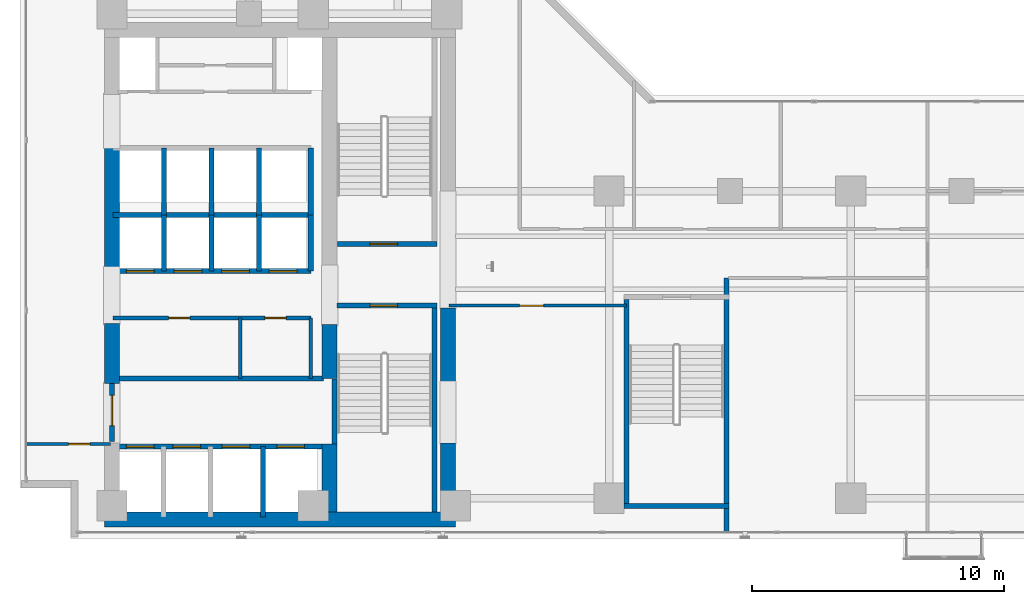
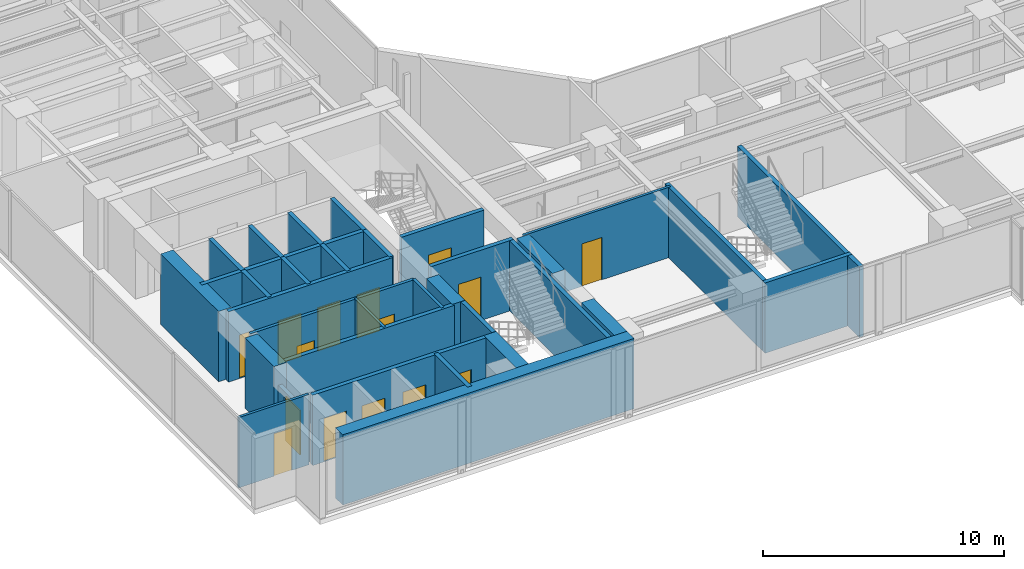
# One storey, part 19 of 26: 33 walls, 15 doors, 15 openings.
"""IFC4 building model written with IfcOpenShell, lengths in metres."""

import ifcopenshell
import ifcopenshell.guid

model = None  # the IFC model being written
_history = None  # IfcOwnerHistory: only IFC2X3 demands one
_inside = {}  # id of a spatial element -> (the spatial element, [elements in it])
_under = {}  # id of a project, library or spatial element -> (it, [spatial elements below it])
_declared = {}  # id of a project -> (the project, [libraries it declares])
_typed = {}  # id of a type object -> (the type object, [elements of that type])
_made_of = {}  # id of a material, layer set ... -> (it, [elements and type objects made of it])


def new_model(schema):
    """Start an empty IFC model of exactly this schema.

    Asked for "IFC4X3", IfcOpenShell would pick the latest addendum, in which some entities
    have other attributes; the version numbers below select the first issue.
    IFC2X3 requires an IfcOwnerHistory on every rooted entity: one is made here for all.
    """
    global model, _history
    if schema == "IFC4X3":
        model = ifcopenshell.file(schema_version=(4, 3, 0, 0))
    else:
        model = ifcopenshell.file(schema=schema)
    _inside.clear()
    _under.clear()
    _declared.clear()
    _typed.clear()
    _made_of.clear()
    _history = None
    if model.schema == "IFC2X3":
        org = make("IfcOrganization", Name="unknown")
        user = make(
            "IfcPersonAndOrganization",
            ThePerson=make("IfcPerson", FamilyName="unknown"),
            TheOrganization=org,
        )
        app = make(
            "IfcApplication",
            ApplicationDeveloper=org,
            Version="unknown",
            ApplicationFullName="unknown",
            ApplicationIdentifier="unknown",
        )
        _history = make(
            "IfcOwnerHistory",
            OwningUser=user,
            OwningApplication=app,
            ChangeAction="ADDED",
            CreationDate=0,
        )
    return model


def make(cls, **values):
    """One entity of the class cls with the attributes given. An attribute that is None is left unset."""
    return model.create_entity(
        cls, **{name: value for name, value in values.items() if value is not None}
    )


def rooted(cls, **values):
    """An entity with a GlobalId (a new one), such as an element, a storey or a relation."""
    return make(cls, GlobalId=ifcopenshell.guid.new(), OwnerHistory=_history, **values)


def si_unit(unit_type, name, prefix=None):
    """IfcSIUnit, for example si_unit("LENGTHUNIT", "METRE", prefix="MILLI")."""
    return make("IfcSIUnit", UnitType=unit_type, Prefix=prefix, Name=name)


def assignment(units):
    """IfcUnitAssignment: the units of a project."""
    return None if units is None else make("IfcUnitAssignment", Units=units)


def point(xyz):
    """IfcCartesianPoint."""
    return None if xyz is None else make("IfcCartesianPoint", Coordinates=xyz)


def direction(xyz):
    """IfcDirection."""
    return None if xyz is None else make("IfcDirection", DirectionRatios=xyz)


def frame(location, z_axis=None, x_axis=None):
    """IfcAxis2Placement3D, a coordinate frame: its origin and axes. An axis left out is left unset."""
    return make(
        "IfcAxis2Placement3D",
        Location=point(location),
        Axis=direction(z_axis),
        RefDirection=direction(x_axis),
    )


def frame_2d(location, x_axis=None):
    """IfcAxis2Placement2D, a coordinate frame in the plane: its origin and x axis."""
    return make(
        "IfcAxis2Placement2D", Location=point(location), RefDirection=direction(x_axis)
    )


def origin():
    """The frame at (0, 0, 0) with its axes left unset."""
    return frame((0.0, 0.0, 0.0))


def place(relative_to, where):
    """IfcLocalPlacement: puts the frame where relative to a parent placement (None: the world)."""
    return make(
        "IfcLocalPlacement", PlacementRelTo=relative_to, RelativePlacement=where
    )


def context(
    kind, dimensions, precision=None, world=None, true_north=None, identifier=None
):
    """IfcGeometricRepresentationContext, for example the 3D "Model" context."""
    return make(
        "IfcGeometricRepresentationContext",
        ContextIdentifier=identifier,
        ContextType=kind,
        CoordinateSpaceDimension=dimensions,
        Precision=precision,
        WorldCoordinateSystem=world,
        TrueNorth=true_north,
    )


def subcontext(parent, identifier, kind, view, scale=None):
    """IfcGeometricRepresentationSubContext, for example "Body" below "Model"."""
    return make(
        "IfcGeometricRepresentationSubContext",
        ContextIdentifier=identifier,
        ContextType=kind,
        ParentContext=parent,
        TargetScale=scale,
        TargetView=view,
    )


def project(units=None, contexts=None):
    """IfcProject with its units and contexts."""
    return rooted(
        "IfcProject",
        Name="project",
        RepresentationContexts=contexts,
        UnitsInContext=assignment(units),
    )


def spatial(cls, under=None, at=None, **own):
    """A site, building, storey or space (cls), placed at a placement, below another one or the project."""
    s = rooted(cls, ObjectPlacement=at, **own)
    if under is not None:
        _under.setdefault(under.id(), (under, []))[1].append(s)
    return s


def profile(cls, at=None, kind="AREA", **sizes):
    """A parametric profile (cls). Its sizes go by their IFC names, for example OverallWidth=200.0."""
    return make(cls, ProfileType=kind, Position=at, **sizes)


def rectangle(**sizes):
    """IfcRectangleProfileDef."""
    return profile("IfcRectangleProfileDef", **sizes)


def extrude(swept, where, along, depth):
    """IfcExtrudedAreaSolid: the profile swept, set in the frame where, extruded along a direction by depth."""
    return make(
        "IfcExtrudedAreaSolid",
        SweptArea=swept,
        Position=where,
        ExtrudedDirection=direction(along),
        Depth=depth,
    )


def shape(context_of_items, identifier, shape_type, items):
    """IfcShapeRepresentation: the items that make up one representation, for example the "Body"."""
    return make(
        "IfcShapeRepresentation",
        ContextOfItems=context_of_items,
        RepresentationIdentifier=identifier,
        RepresentationType=shape_type,
        Items=items,
    )


def material(Name=None, Category=None):
    """IfcMaterial."""
    return make("IfcMaterial", Name=Name, Category=Category)


def layer(
    of_material, thickness, ventilated=None, Name=None, Category=None, Priority=None
):
    """IfcMaterialLayer: one layer of a wall or slab, of a material (None: an air gap)."""
    return make(
        "IfcMaterialLayer",
        Material=of_material,
        LayerThickness=thickness,
        IsVentilated=ventilated,
        Name=Name,
        Category=Category,
        Priority=Priority,
    )


def layer_set(layers, Name=None):
    """IfcMaterialLayerSet."""
    return make("IfcMaterialLayerSet", MaterialLayers=layers, LayerSetName=Name)


def made_of(thing, what):
    """Note that an element or type object is made of a material, layer set ...; save() writes the relation."""
    if what is not None:
        _made_of.setdefault(what.id(), (what, []))[1].append(thing)
    return thing


def type_object(cls, material=None, **own):
    """A type object (cls), such as IfcWallType, which elements share."""
    return made_of(rooted(cls, **own), material)


def element(
    cls,
    number,
    at=None,
    inside=None,
    cuts=None,
    type_object=None,
    material=None,
    context=None,
    identifier="Body",
    shape_type=None,
    held_by="IfcProductDefinitionShape",
    body=None,
    shapes=None,
    **own,
):
    """One element of the class cls, such as IfcWall. Its Tag is "e" and its number.

    at: its placement. inside: the storey or other place that contains it. cuts: it is an
    opening in that element (IfcRelVoidsElement). A single representation is given by context,
    identifier, shape_type and body (its items); several are given by shapes. held_by: the class
    of the entity that holds the representations. save() writes the other relations.
    """
    e = rooted(cls, Tag="e%d" % number, ObjectPlacement=at, **own)
    if body is not None:
        shapes = [shape(context, identifier, shape_type, body)]
    if shapes is not None:
        e.Representation = make(held_by, Representations=shapes)
    if inside is not None:
        _inside.setdefault(inside.id(), (inside, []))[1].append(e)
    if cuts is not None:
        rooted(
            "IfcRelVoidsElement", RelatingBuildingElement=cuts, RelatedOpeningElement=e
        )
    if type_object is not None:
        _typed.setdefault(type_object.id(), (type_object, []))[1].append(e)
    return made_of(e, material)


def fill(opening, filler):
    """IfcRelFillsElement: the door or window that sits in an opening."""
    return rooted(
        "IfcRelFillsElement",
        RelatingOpeningElement=opening,
        RelatedBuildingElement=filler,
    )


def aggregate(whole, parts):
    """IfcRelAggregates: a whole, such as a stair, and the parts it consists of."""
    return rooted("IfcRelAggregates", RelatingObject=whole, RelatedObjects=parts)


def save(model, path):
    """Write the relations noted so far, then the file.

    IfcRelAggregates (storeys below a building ...), IfcRelContainedInSpatialStructure (elements
    in a storey), IfcRelDefinesByType, IfcRelAssociatesMaterial and IfcRelDeclares: one each for
    every whole, place, type object, material and project.
    """
    for whole, parts in _under.values():
        aggregate(whole, parts)
    for where, things in _inside.values():
        rooted(
            "IfcRelContainedInSpatialStructure",
            RelatedElements=things,
            RelatingStructure=where,
        )
    for kind, things in _typed.values():
        rooted("IfcRelDefinesByType", RelatedObjects=things, RelatingType=kind)
    for what, things in _made_of.values():
        rooted("IfcRelAssociatesMaterial", RelatedObjects=things, RelatingMaterial=what)
    for by, libraries in _declared.values():
        rooted("IfcRelDeclares", RelatingContext=by, RelatedDefinitions=libraries)
    model.write(path)


model = new_model("IFC4")

# Units and contexts
model_context = context("Model", 3, precision=1e-05, world=origin(), true_north=direction((0.0, 1.0)))
body_context = subcontext(model_context, "Body", "Model", "MODEL_VIEW")
ifc_project = project(units=[si_unit("LENGTHUNIT", "METRE"), si_unit("AREAUNIT", "SQUARE_METRE"), si_unit("VOLUMEUNIT", "CUBIC_METRE"), si_unit("PLANEANGLEUNIT", "RADIAN"), si_unit("MASSUNIT", "GRAM", prefix="KILO")], contexts=[model_context])

# Site, building, storey
site_placement = place(None, origin())
site = spatial("IfcSite", under=ifc_project, at=site_placement, CompositionType="ELEMENT")
building_placement = place(site_placement, origin())
building = spatial("IfcBuilding", under=site, at=building_placement, Name="Kolvaren Waterfront Exchange", CompositionType="ELEMENT")
storey_placement = place(building_placement, frame((0.0, 0.0, 150.0)))
storey = spatial("IfcBuildingStorey", under=building, at=storey_placement, Name="L38", CompositionType="ELEMENT", Elevation=150.0)

# Wall, opening, door
ifc_material_1 = material(Name="Precast concrete C40/50", Category="concrete")
ifc_layer_1 = layer(ifc_material_1, 0.199951171875, Name="Precast concrete C40/50")
ifc_layer_set_1 = layer_set([ifc_layer_1], Name="Precast concrete C40/50")
wall_type_1 = type_object("IfcWallType", Name="ARC-FIRE-200", PredefinedType="PARTITIONING", material=ifc_layer_set_1)
wall_1_placement = place(storey_placement, frame((16.39990234375, 12.85009765625, 0.0), z_axis=(0.0, 0.0, 1.0), x_axis=(1.0, 0.0, 0.0)))
wall_1 = element("IfcWall", 1, at=wall_1_placement, inside=storey, type_object=wall_type_1, Name="L38 interior wall PW-L38-ST1-THROAT-S", PredefinedType="PARTITIONING", context=body_context, shape_type="SweptSolid", body=[
    extrude(rectangle(XDim=3.960205078125, YDim=0.199951171875, at=frame_2d((1.97998046875, 0.0))), origin(), (0.0, 0.0, 1.0), 3.56005859375),
])
opening_1_placement = place(wall_1_placement, frame((1.3037109375, 0.0, 0.0)))
opening_1 = element("IfcOpeningElement", 2, at=opening_1_placement, cuts=wall_1, Name="Opening FD2", PredefinedType="OPENING", context=body_context, shape_type="SweptSolid", body=[
    extrude(rectangle(XDim=1.10009765625, YDim=2.199951171875, at=frame_2d((0.550048828125, 1.10009765625))), frame((0.0, 0.10986328125, 0.0), z_axis=(0.0, -1.0, 0.0), x_axis=(1.0, 0.0, 0.0)), (0.0, 0.0, 1.0), 0.219970703125),
])
ifc_material_2 = material(Name="Pressed steel smoke-seal fire door", Category="steel")
door_type_1 = type_object("IfcDoorType", Name="ARC-FD-1100", OperationType="NOTDEFINED", PredefinedType="DOOR", material=ifc_material_2)
door_1_placement = place(opening_1_placement, frame((1.10009765625, 0.0, 0.0), z_axis=(0.0, 0.0, 1.0), x_axis=(-1.0, 0.0, 0.0)))
door_1 = element("IfcDoor", 3, at=door_1_placement, inside=storey, type_object=door_type_1, Name="L38 door DR-L38-ST1-IN (FD2)", OperationType="SINGLE_SWING_RIGHT", OverallHeight=2.199951171875, OverallWidth=1.10009765625, PredefinedType="DOOR", context=body_context, shape_type="SweptSolid", body=[
    extrude(rectangle(XDim=1.10009765625, YDim=2.199951171875, at=frame_2d((0.550048828125, 1.10009765625))), frame((0.0, 0.02490234375, 0.0), z_axis=(0.0, -1.0, 0.0), x_axis=(1.0, 0.0, 0.0)), (0.0, 0.0, 1.0), 0.050048828125),
])
fill(opening_1, door_1)

wall_2_placement = place(storey_placement, frame((16.409912109375, 15.300048828125, 0.0), z_axis=(0.0, 0.0, 1.0), x_axis=(1.0, 0.0, 0.0)))
wall_2 = element("IfcWall", 4, at=wall_2_placement, inside=storey, type_object=wall_type_1, Name="L38 interior wall PW-L38-ST2-THROAT-N", PredefinedType="PARTITIONING", context=body_context, shape_type="SweptSolid", body=[
    extrude(rectangle(XDim=3.9501953125, YDim=0.199951171875, at=frame_2d((1.97509765625, 0.0))), origin(), (0.0, 0.0, 1.0), 3.56005859375),
])
opening_2_placement = place(wall_2_placement, frame((1.293701171875, 0.0, 0.0)))
opening_2 = element("IfcOpeningElement", 5, at=opening_2_placement, cuts=wall_2, Name="Opening FD2", PredefinedType="OPENING", context=body_context, shape_type="SweptSolid", body=[
    extrude(rectangle(XDim=1.10009765625, YDim=2.199951171875, at=frame_2d((0.550048828125, 1.10009765625))), frame((0.0, 0.10986328125, 0.0), z_axis=(0.0, -1.0, 0.0), x_axis=(1.0, 0.0, 0.0)), (0.0, 0.0, 1.0), 0.219970703125),
])
door_2_placement = place(opening_2_placement, origin())
door_2 = element("IfcDoor", 6, at=door_2_placement, inside=storey, type_object=door_type_1, Name="L38 door DR-L38-ST2-IN (FD2)", OperationType="SINGLE_SWING_LEFT", OverallHeight=2.199951171875, OverallWidth=1.10009765625, PredefinedType="DOOR", context=body_context, shape_type="SweptSolid", body=[
    extrude(rectangle(XDim=1.10009765625, YDim=2.199951171875, at=frame_2d((0.550048828125, 1.10009765625))), frame((0.0, 0.02490234375, 0.0), z_axis=(0.0, -1.0, 0.0), x_axis=(1.0, 0.0, 0.0)), (0.0, 0.0, 1.0), 0.050048828125),
])
fill(opening_2, door_2)

# Wall
wall_3_placement = place(storey_placement, frame((7.5, 9.949951171875, 0.0), z_axis=(0.0, 0.0, 1.0), x_axis=(1.0, 0.0, 0.0)))
element("IfcWall", 7, at=wall_3_placement, inside=storey, type_object=wall_type_1, Name="L38 interior wall PW-L38-FF-N", PredefinedType="PARTITIONING", context=body_context, shape_type="SweptSolid", body=[
    extrude(rectangle(XDim=8.35009765625, YDim=0.199951171875, at=frame_2d((4.175048828125, 0.0))), origin(), (0.0, 0.0, 1.0), 3.56005859375),
])

# Wall, opening, door
wall_4_placement = place(storey_placement, frame((7.449951171875, 7.449951171875, 0.0), z_axis=(0.0, 0.0, 1.0), x_axis=(0.0, 1.0, 0.0)))
wall_4 = element("IfcWall", 8, at=wall_4_placement, inside=storey, type_object=wall_type_1, Name="L38 interior wall PW-L38-FF-W-DOOR", PredefinedType="PARTITIONING", context=body_context, shape_type="SweptSolid", body=[
    extrude(rectangle(XDim=2.300048828125, YDim=0.199951171875, at=frame_2d((1.14990234375, 0.0))), origin(), (0.0, 0.0, 1.0), 2.5400390625),
])
opening_3_placement = place(wall_4_placement, frame((0.63330078125, 0.0, 0.0)))
opening_3 = element("IfcOpeningElement", 9, at=opening_3_placement, cuts=wall_4, Name="Opening FD3", PredefinedType="OPENING", context=body_context, shape_type="SweptSolid", body=[
    extrude(rectangle(XDim=1.199951171875, YDim=2.25, at=frame_2d((0.60009765625, 1.125))), frame((0.0, 0.10986328125, 0.0), z_axis=(0.0, -1.0, 0.0), x_axis=(1.0, 0.0, 0.0)), (0.0, 0.0, 1.0), 0.219970703125),
])
ifc_material_3 = material(Name="Pressed steel fire door", Category="steel")
door_type_2 = type_object("IfcDoorType", Name="ARC-FD-1200", OperationType="NOTDEFINED", PredefinedType="DOOR", material=ifc_material_3)
door_3_placement = place(opening_3_placement, frame((1.199951171875, 0.0, 0.0), z_axis=(0.0, 0.0, 1.0), x_axis=(-1.0, 0.0, 0.0)))
door_3 = element("IfcDoor", 10, at=door_3_placement, inside=storey, type_object=door_type_2, Name="L38 door DR-L38-FF-OUT (FD3)", OperationType="SINGLE_SWING_LEFT", OverallHeight=2.25, OverallWidth=1.199951171875, PredefinedType="DOOR", context=body_context, shape_type="SweptSolid", body=[
    extrude(rectangle(XDim=1.199951171875, YDim=2.25, at=frame_2d((0.60009765625, 1.125))), frame((0.0, 0.02490234375, 0.0), z_axis=(0.0, -1.0, 0.0), x_axis=(1.0, 0.0, 0.0)), (0.0, 0.0, 1.0), 0.050048828125),
])
fill(opening_3, door_3)

# Wall
ifc_material_4 = material(Name="Acoustic gypsum steel stud", Category="steel")
ifc_layer_2 = layer(ifc_material_4, 0.125, Name="Acoustic gypsum steel stud")
ifc_layer_set_2 = layer_set([ifc_layer_2], Name="Acoustic gypsum steel stud")
wall_type_2 = type_object("IfcWallType", Name="ARC-PART-125", PredefinedType="PARTITIONING", material=ifc_layer_set_2)
wall_5_placement = place(storey_placement, frame((12.550048828125, 9.949951171875, 0.0), z_axis=(0.0, 0.0, 1.0), x_axis=(0.0, 1.0, 0.0)))
element("IfcWall", 11, at=wall_5_placement, inside=storey, type_object=wall_type_2, Name="L38 interior wall PW-L38-REC-PL-MID", PredefinedType="PARTITIONING", context=body_context, shape_type="SweptSolid", body=[
    extrude(rectangle(XDim=2.41015625, YDim=0.125, at=frame_2d((1.205078125, 0.0))), origin(), (0.0, 0.0, 1.0), 3.56005859375),
])

# Wall, opening, door
wall_6_placement = place(storey_placement, frame((4.0400390625, 7.35009765625, 0.0), z_axis=(0.0, 0.0, 1.0), x_axis=(1.0, 0.0, 0.0)))
wall_6 = element("IfcWall", 12, at=wall_6_placement, inside=storey, type_object=wall_type_2, Name="L38 interior wall PW-L38-SWC-N", PredefinedType="PARTITIONING", context=body_context, shape_type="SweptSolid", body=[
    extrude(rectangle(XDim=3.35986328125, YDim=0.125, at=frame_2d((1.679931640625, 0.0))), origin(), (0.0, 0.0, 1.0), 3.56005859375),
])
opening_4_placement = place(wall_6_placement, frame((1.686767578125, 0.0, 0.0)))
opening_4 = element("IfcOpeningElement", 13, at=opening_4_placement, cuts=wall_6, Name="Opening D01", PredefinedType="OPENING", context=body_context, shape_type="SweptSolid", body=[
    extrude(rectangle(XDim=0.85009765625, YDim=2.14990234375, at=frame_2d((0.425048828125, 1.074951171875))), frame((0.0, 0.072509765625, 0.0), z_axis=(0.0, -1.0, 0.0), x_axis=(1.0, 0.0, 0.0)), (0.0, 0.0, 1.0), 0.14501953125),
])
ifc_material_5 = material(Name="Oak veneer timber leaf", Category="wood")
door_type_3 = type_object("IfcDoorType", Name="ARC-DR-900", OperationType="NOTDEFINED", PredefinedType="DOOR", material=ifc_material_5)
door_4_placement = place(opening_4_placement, origin())
door_4 = element("IfcDoor", 14, at=door_4_placement, inside=storey, type_object=door_type_3, Name="L38 door DR-L38-SWC-D (D01)", OperationType="SINGLE_SWING_RIGHT", OverallHeight=2.14990234375, OverallWidth=0.85009765625, PredefinedType="DOOR", context=body_context, shape_type="SweptSolid", body=[
    extrude(rectangle(XDim=0.85009765625, YDim=2.14990234375, at=frame_2d((0.425048828125, 1.074951171875))), frame((0.0, 0.02490234375, 0.0), z_axis=(0.0, -1.0, 0.0), x_axis=(1.0, 0.0, 0.0)), (0.0, 0.0, 1.0), 0.050048828125),
])
fill(opening_4, door_4)

wall_7_placement = place(storey_placement, frame((20.85009765625, 12.85009765625, 0.0), z_axis=(0.0, 0.0, 1.0), x_axis=(1.0, 0.0, 0.0)))
wall_7 = element("IfcWall", 15, at=wall_7_placement, inside=storey, type_object=wall_type_2, Name="L38 interior wall PW-L38-SWST3-N", PredefinedType="PARTITIONING", context=body_context, shape_type="SweptSolid", body=[
    extrude(rectangle(XDim=7.0498046875, YDim=0.125, at=frame_2d((3.52490234375, 0.0))), origin(), (0.0, 0.0, 1.0), 3.56005859375),
])
opening_5_placement = place(wall_7_placement, frame((2.800048828125, 0.0, 0.0)))
opening_5 = element("IfcOpeningElement", 16, at=opening_5_placement, cuts=wall_7, Name="Opening D02", PredefinedType="OPENING", context=body_context, shape_type="SweptSolid", body=[
    extrude(rectangle(XDim=0.949951171875, YDim=2.14990234375, at=frame_2d((0.47509765625, 1.074951171875))), frame((0.0, 0.072509765625, 0.0), z_axis=(0.0, -1.0, 0.0), x_axis=(1.0, 0.0, 0.0)), (0.0, 0.0, 1.0), 0.14501953125),
])
ifc_material_6 = material(Name="Oak veneer acoustic timber", Category="wood")
door_type_4 = type_object("IfcDoorType", Name="ARC-DR-950", OperationType="NOTDEFINED", PredefinedType="DOOR", material=ifc_material_6)
door_5_placement = place(opening_5_placement, origin())
door_5 = element("IfcDoor", 17, at=door_5_placement, inside=storey, type_object=door_type_4, Name="L38 door DR-L38-SWST3-D (D02)", OperationType="SINGLE_SWING_LEFT", OverallHeight=2.14990234375, OverallWidth=0.949951171875, PredefinedType="DOOR", context=body_context, shape_type="SweptSolid", body=[
    extrude(rectangle(XDim=0.949951171875, YDim=2.14990234375, at=frame_2d((0.47509765625, 1.074951171875))), frame((0.0, 0.02490234375, 0.0), z_axis=(0.0, -1.0, 0.0), x_axis=(1.0, 0.0, 0.0)), (0.0, 0.0, 1.0), 0.050048828125),
])
fill(opening_5, door_5)

# Wall, openings, doors
ifc_material_7 = material(Name="Gypsum fireboard steel stud", Category="steel")
ifc_layer_3 = layer(ifc_material_7, 0.14990234375, Name="Gypsum fireboard steel stud")
ifc_layer_set_3 = layer_set([ifc_layer_3], Name="Gypsum fireboard steel stud")
wall_type_3 = type_object("IfcWallType", Name="ARC-PART-150", PredefinedType="PARTITIONING", material=ifc_layer_set_3)
wall_8_placement = place(storey_placement, frame((7.5, 12.360107421875, 0.0), z_axis=(0.0, 0.0, 1.0), x_axis=(1.0, 0.0, 0.0)))
wall_8 = element("IfcWall", 18, at=wall_8_placement, inside=storey, type_object=wall_type_3, Name="L38 interior wall PW-L38-REC-PL-N", PredefinedType="PARTITIONING", context=body_context, shape_type="SweptSolid", body=[
    extrude(rectangle(XDim=7.85009765625, YDim=0.14990234375, at=frame_2d((3.925048828125, 0.0))), origin(), (0.0, 0.0, 1.0), 3.56005859375),
])
opening_6_placement = place(wall_8_placement, frame((2.202392578125, 0.0, 0.0)))
opening_6 = element("IfcOpeningElement", 19, at=opening_6_placement, cuts=wall_8, Name="Opening D01", PredefinedType="OPENING", context=body_context, shape_type="SweptSolid", body=[
    extrude(rectangle(XDim=0.85009765625, YDim=2.14990234375, at=frame_2d((0.425048828125, 1.074951171875))), frame((0.0, 0.0849609375, 0.0), z_axis=(0.0, -1.0, 0.0), x_axis=(1.0, 0.0, 0.0)), (0.0, 0.0, 1.0), 0.169921875),
])
opening_7_placement = place(wall_8_placement, frame((6.02490234375, 0.0, 0.0)))
opening_7 = element("IfcOpeningElement", 20, at=opening_7_placement, cuts=wall_8, Name="Opening D01", PredefinedType="OPENING", context=body_context, shape_type="SweptSolid", body=[
    extrude(rectangle(XDim=0.85009765625, YDim=2.14990234375, at=frame_2d((0.425048828125, 1.074951171875))), frame((0.0, 0.0849609375, 0.0), z_axis=(0.0, -1.0, 0.0), x_axis=(1.0, 0.0, 0.0)), (0.0, 0.0, 1.0), 0.169921875),
])
door_6_placement = place(opening_6_placement, origin())
door_6 = element("IfcDoor", 21, at=door_6_placement, inside=storey, type_object=door_type_3, Name="L38 door DR-L38-REC-PL-D1 (D01)", OperationType="SINGLE_SWING_RIGHT", OverallHeight=2.14990234375, OverallWidth=0.85009765625, PredefinedType="DOOR", context=body_context, shape_type="SweptSolid", body=[
    extrude(rectangle(XDim=0.85009765625, YDim=2.14990234375, at=frame_2d((0.425048828125, 1.074951171875))), frame((0.0, 0.02490234375, 0.0), z_axis=(0.0, -1.0, 0.0), x_axis=(1.0, 0.0, 0.0)), (0.0, 0.0, 1.0), 0.050048828125),
])
fill(opening_6, door_6)
door_7_placement = place(opening_7_placement, origin())
door_7 = element("IfcDoor", 22, at=door_7_placement, inside=storey, type_object=door_type_3, Name="L38 door DR-L38-REC-PL-D2 (D01)", OperationType="SINGLE_SWING_LEFT", OverallHeight=2.14990234375, OverallWidth=0.85009765625, PredefinedType="DOOR", context=body_context, shape_type="SweptSolid", body=[
    extrude(rectangle(XDim=0.85009765625, YDim=2.14990234375, at=frame_2d((0.425048828125, 1.074951171875))), frame((0.0, 0.02490234375, 0.0), z_axis=(0.0, -1.0, 0.0), x_axis=(1.0, 0.0, 0.0)), (0.0, 0.0, 1.0), 0.050048828125),
])
fill(opening_7, door_7)

# Walls
wall_9_placement = place(storey_placement, frame((15.35009765625, 9.949951171875, 0.0), z_axis=(0.0, 0.0, 1.0), x_axis=(0.0, 1.0, 0.0)))
element("IfcWall", 23, at=wall_9_placement, inside=storey, type_object=wall_type_3, Name="L38 interior wall PW-L38-REC-PL-E", PredefinedType="PARTITIONING", context=body_context, shape_type="SweptSolid", body=[
    extrude(rectangle(XDim=2.41015625, YDim=0.14990234375, at=frame_2d((1.205078125, 0.0))), origin(), (0.0, 0.0, 1.0), 3.56005859375),
])
ifc_material_8 = material(Name="Concrete C40/50", Category="concrete")
ifc_layer_4 = layer(ifc_material_8, 0.199951171875, Name="Concrete C40/50")
ifc_layer_set_4 = layer_set([ifc_layer_4], Name="Concrete C40/50")
wall_type_4 = type_object("IfcWallType", Name="ARC-SHAFT-200", PredefinedType="PARTITIONING", material=ifc_layer_set_4)
wall_10_placement = place(storey_placement, frame((16.300048828125, 7.360107421875, 0.0), z_axis=(0.0, 0.0, 1.0), x_axis=(0.0, 1.0, 0.0)))
element("IfcWall", 24, at=wall_10_placement, inside=storey, type_object=wall_type_4, Name="L38 structural stairwell wall PW-L38-ST1-W", PredefinedType="SHEAR", context=body_context, shape_type="SweptSolid", body=[
    extrude(rectangle(XDim=2.579833984375, YDim=0.199951171875, at=frame_2d((1.2900390625, 0.0))), origin(), (0.0, 0.0, 1.0), 3.56005859375),
])
wall_11_placement = place(storey_placement, frame((20.260009765625, 4.659912109375, 0.0), z_axis=(0.0, 0.0, 1.0), x_axis=(0.0, 1.0, 0.0)))
element("IfcWall", 25, at=wall_11_placement, inside=storey, type_object=wall_type_4, Name="L38 structural stairwell wall PW-L38-ST1-E", PredefinedType="SHEAR", context=body_context, shape_type="SweptSolid", body=[
    extrude(rectangle(XDim=8.090087890625, YDim=0.199951171875, at=frame_2d((4.044921875, 0.0))), origin(), (0.0, 0.0, 1.0), 3.56005859375),
])
wall_12_placement = place(storey_placement, frame((27.89990234375, 5.0, 0.0), z_axis=(0.0, 0.0, 1.0), x_axis=(0.0, 1.0, 0.0)))
element("IfcWall", 26, at=wall_12_placement, inside=storey, type_object=wall_type_4, Name="L38 structural stairwell wall PW-L38-ST3-W", PredefinedType="SHEAR", context=body_context, shape_type="SweptSolid", body=[
    extrude(rectangle(XDim=8.10009765625, YDim=0.199951171875, at=frame_2d((4.050048828125, 0.0))), origin(), (0.0, 0.0, 1.0), 3.56005859375),
])
wall_13_placement = place(storey_placement, frame((31.860107421875, 3.840087890625, 0.0), z_axis=(0.0, 0.0, 1.0), x_axis=(0.0, 1.0, 0.0)))
element("IfcWall", 27, at=wall_13_placement, inside=storey, type_object=wall_type_4, Name="L38 structural stairwell wall PW-L38-ST3-E", PredefinedType="SHEAR", context=body_context, shape_type="SweptSolid", body=[
    extrude(rectangle(XDim=10.10986328125, YDim=0.199951171875, at=frame_2d((5.054931640625, 0.0))), origin(), (0.0, 0.0, 1.0), 3.56005859375),
])
wall_14_placement = place(storey_placement, frame((27.800048828125, 4.89990234375, 0.0), z_axis=(0.0, 0.0, 1.0), x_axis=(1.0, 0.0, 0.0)))
element("IfcWall", 28, at=wall_14_placement, inside=storey, type_object=wall_type_4, Name="L38 structural stairwell wall PW-L38-ST3-S", PredefinedType="SHEAR", context=body_context, shape_type="SweptSolid", body=[
    extrude(rectangle(XDim=4.159912109375, YDim=0.199951171875, at=frame_2d((2.080078125, 0.0))), origin(), (0.0, 0.0, 1.0), 3.56005859375),
])

# Wall, openings, doors
wall_15_placement = place(storey_placement, frame((7.5, 7.25, 0.0), z_axis=(0.0, 0.0, 1.0), x_axis=(1.0, 0.0, 0.0)))
wall_15 = element("IfcWall", 29, at=wall_15_placement, inside=storey, type_object=wall_type_4, Name="L38 interior wall PW-L38-FF-S", PredefinedType="PARTITIONING", context=body_context, shape_type="SweptSolid", body=[
    extrude(rectangle(XDim=8.35009765625, YDim=0.199951171875, at=frame_2d((4.175048828125, 0.0))), origin(), (0.0, 0.0, 1.0), 3.56005859375),
])
opening_8_placement = place(wall_15_placement, frame((0.530029296875, 0.0, 0.0)))
opening_8 = element("IfcOpeningElement", 30, at=opening_8_placement, cuts=wall_15, Name="Opening LD1", PredefinedType="OPENING", context=body_context, shape_type="SweptSolid", body=[
    extrude(rectangle(XDim=1.10009765625, YDim=2.199951171875, at=frame_2d((0.550048828125, 1.10009765625))), frame((0.0, 0.10986328125, 0.0), z_axis=(0.0, -1.0, 0.0), x_axis=(1.0, 0.0, 0.0)), (0.0, 0.0, 1.0), 0.219970703125),
])
opening_9_placement = place(wall_15_placement, frame((2.3701171875, 0.0, 0.0)))
opening_9 = element("IfcOpeningElement", 31, at=opening_9_placement, cuts=wall_15, Name="Opening LD1", PredefinedType="OPENING", context=body_context, shape_type="SweptSolid", body=[
    extrude(rectangle(XDim=1.10009765625, YDim=2.199951171875, at=frame_2d((0.550048828125, 1.10009765625))), frame((0.0, 0.10986328125, 0.0), z_axis=(0.0, -1.0, 0.0), x_axis=(1.0, 0.0, 0.0)), (0.0, 0.0, 1.0), 0.219970703125),
])
opening_10_placement = place(wall_15_placement, frame((4.330078125, 0.0, 0.0)))
opening_10 = element("IfcOpeningElement", 32, at=opening_10_placement, cuts=wall_15, Name="Opening LD1", PredefinedType="OPENING", context=body_context, shape_type="SweptSolid", body=[
    extrude(rectangle(XDim=1.10009765625, YDim=2.199951171875, at=frame_2d((0.550048828125, 1.10009765625))), frame((0.0, 0.10986328125, 0.0), z_axis=(0.0, -1.0, 0.0), x_axis=(1.0, 0.0, 0.0)), (0.0, 0.0, 1.0), 0.219970703125),
])
opening_11_placement = place(wall_15_placement, frame((6.5, 0.0, 0.0)))
opening_11 = element("IfcOpeningElement", 33, at=opening_11_placement, cuts=wall_15, Name="Opening LD1", PredefinedType="OPENING", context=body_context, shape_type="SweptSolid", body=[
    extrude(rectangle(XDim=1.10009765625, YDim=2.199951171875, at=frame_2d((0.550048828125, 1.10009765625))), frame((0.0, 0.10986328125, 0.0), z_axis=(0.0, -1.0, 0.0), x_axis=(1.0, 0.0, 0.0)), (0.0, 0.0, 1.0), 0.219970703125),
])
ifc_material_9 = material(Name="Stainless steel sliding landing door", Category="steel")
door_type_5 = type_object("IfcDoorType", Name="ARC-LD-FF", OperationType="SLIDING_TO_LEFT", PredefinedType="DOOR", material=ifc_material_9)
door_8_placement = place(opening_8_placement, origin())
door_8 = element("IfcDoor", 34, at=door_8_placement, inside=storey, type_object=door_type_5, Name="L38 door LD-L38-FFL1 (LD1)", OperationType="SLIDING_TO_LEFT", OverallHeight=2.199951171875, OverallWidth=1.10009765625, PredefinedType="DOOR", context=body_context, shape_type="SweptSolid", body=[
    extrude(rectangle(XDim=1.10009765625, YDim=2.199951171875, at=frame_2d((0.550048828125, 1.10009765625))), frame((0.0, 0.02490234375, 0.0), z_axis=(0.0, -1.0, 0.0), x_axis=(1.0, 0.0, 0.0)), (0.0, 0.0, 1.0), 0.050048828125),
])
fill(opening_8, door_8)
door_9_placement = place(opening_9_placement, origin())
door_9 = element("IfcDoor", 35, at=door_9_placement, inside=storey, type_object=door_type_5, Name="L38 door LD-L38-FFL2 (LD1)", OperationType="SLIDING_TO_LEFT", OverallHeight=2.199951171875, OverallWidth=1.10009765625, PredefinedType="DOOR", context=body_context, shape_type="SweptSolid", body=[
    extrude(rectangle(XDim=1.10009765625, YDim=2.199951171875, at=frame_2d((0.550048828125, 1.10009765625))), frame((0.0, 0.02490234375, 0.0), z_axis=(0.0, -1.0, 0.0), x_axis=(1.0, 0.0, 0.0)), (0.0, 0.0, 1.0), 0.050048828125),
])
fill(opening_9, door_9)
door_10_placement = place(opening_10_placement, origin())
door_10 = element("IfcDoor", 36, at=door_10_placement, inside=storey, type_object=door_type_5, Name="L38 door LD-L38-GL1 (LD1)", OperationType="SLIDING_TO_LEFT", OverallHeight=2.199951171875, OverallWidth=1.10009765625, PredefinedType="DOOR", context=body_context, shape_type="SweptSolid", body=[
    extrude(rectangle(XDim=1.10009765625, YDim=2.199951171875, at=frame_2d((0.550048828125, 1.10009765625))), frame((0.0, 0.02490234375, 0.0), z_axis=(0.0, -1.0, 0.0), x_axis=(1.0, 0.0, 0.0)), (0.0, 0.0, 1.0), 0.050048828125),
])
fill(opening_10, door_10)
door_11_placement = place(opening_11_placement, origin())
door_11 = element("IfcDoor", 37, at=door_11_placement, inside=storey, type_object=door_type_5, Name="L38 door LD-L38-GL2 (LD1)", OperationType="SLIDING_TO_LEFT", OverallHeight=2.199951171875, OverallWidth=1.10009765625, PredefinedType="DOOR", context=body_context, shape_type="SweptSolid", body=[
    extrude(rectangle(XDim=1.10009765625, YDim=2.199951171875, at=frame_2d((0.550048828125, 1.10009765625))), frame((0.0, 0.02490234375, 0.0), z_axis=(0.0, -1.0, 0.0), x_axis=(1.0, 0.0, 0.0)), (0.0, 0.0, 1.0), 0.050048828125),
])
fill(opening_11, door_11)

# Wall
wall_16_placement = place(storey_placement, frame((13.4599609375, 4.449951171875, 0.0), z_axis=(0.0, 0.0, 1.0), x_axis=(0.0, 1.0, 0.0)))
element("IfcWall", 38, at=wall_16_placement, inside=storey, type_object=wall_type_4, Name="L38 interior wall PW-L38-SH1-DIV-134", PredefinedType="PARTITIONING", context=body_context, shape_type="SweptSolid", body=[
    extrude(rectangle(XDim=2.800048828125, YDim=0.199951171875, at=frame_2d((1.39990234375, 0.0))), origin(), (0.0, 0.0, 1.0), 3.56005859375),
])

# Wall, openings, doors
wall_17_placement = place(storey_placement, frame((7.5, 14.219970703125, 0.0), z_axis=(0.0, 0.0, 1.0), x_axis=(1.0, 0.0, 0.0)))
wall_17 = element("IfcWall", 39, at=wall_17_placement, inside=storey, type_object=wall_type_4, Name="L38 interior wall PW-L38-PM-S", PredefinedType="PARTITIONING", context=body_context, shape_type="SweptSolid", body=[
    extrude(rectangle(XDim=7.85009765625, YDim=0.199951171875, at=frame_2d((3.925048828125, 0.0))), origin(), (0.0, 0.0, 1.0), 3.56005859375),
])
opening_12_placement = place(wall_17_placement, frame((0.530029296875, 0.0, 0.0)))
opening_12 = element("IfcOpeningElement", 40, at=opening_12_placement, cuts=wall_17, Name="Opening LD2", PredefinedType="OPENING", context=body_context, shape_type="SweptSolid", body=[
    extrude(rectangle(XDim=1.10009765625, YDim=2.199951171875, at=frame_2d((0.550048828125, 1.10009765625))), frame((0.0, 0.10986328125, 0.0), z_axis=(0.0, -1.0, 0.0), x_axis=(1.0, 0.0, 0.0)), (0.0, 0.0, 1.0), 0.219970703125),
])
opening_13_placement = place(wall_17_placement, frame((2.419921875, 0.0, 0.0)))
opening_13 = element("IfcOpeningElement", 41, at=opening_13_placement, cuts=wall_17, Name="Opening LD2", PredefinedType="OPENING", context=body_context, shape_type="SweptSolid", body=[
    extrude(rectangle(XDim=1.10009765625, YDim=2.199951171875, at=frame_2d((0.550048828125, 1.10009765625))), frame((0.0, 0.10986328125, 0.0), z_axis=(0.0, -1.0, 0.0), x_axis=(1.0, 0.0, 0.0)), (0.0, 0.0, 1.0), 0.219970703125),
])
opening_14_placement = place(wall_17_placement, frame((4.31005859375, 0.0, 0.0)))
opening_14 = element("IfcOpeningElement", 42, at=opening_14_placement, cuts=wall_17, Name="Opening LD2", PredefinedType="OPENING", context=body_context, shape_type="SweptSolid", body=[
    extrude(rectangle(XDim=1.10009765625, YDim=2.199951171875, at=frame_2d((0.550048828125, 1.10009765625))), frame((0.0, 0.10986328125, 0.0), z_axis=(0.0, -1.0, 0.0), x_axis=(1.0, 0.0, 0.0)), (0.0, 0.0, 1.0), 0.219970703125),
])
opening_15_placement = place(wall_17_placement, frame((6.199951171875, 0.0, 0.0)))
opening_15 = element("IfcOpeningElement", 43, at=opening_15_placement, cuts=wall_17, Name="Opening LD2", PredefinedType="OPENING", context=body_context, shape_type="SweptSolid", body=[
    extrude(rectangle(XDim=1.10009765625, YDim=2.199951171875, at=frame_2d((0.550048828125, 1.10009765625))), frame((0.0, 0.10986328125, 0.0), z_axis=(0.0, -1.0, 0.0), x_axis=(1.0, 0.0, 0.0)), (0.0, 0.0, 1.0), 0.219970703125),
])
ifc_material_10 = material(Name="Brushed bronze sliding landing door", Category="aluminium")
door_type_6 = type_object("IfcDoorType", Name="ARC-LD-PAX", OperationType="SLIDING_TO_LEFT", PredefinedType="DOOR", material=ifc_material_10)
door_12_placement = place(opening_12_placement, frame((1.10009765625, 0.0, 0.0), z_axis=(0.0, 0.0, 1.0), x_axis=(-1.0, 0.0, 0.0)))
door_12 = element("IfcDoor", 44, at=door_12_placement, inside=storey, type_object=door_type_6, Name="L38 door LD-L38-PM1 (LD2)", OperationType="SLIDING_TO_LEFT", OverallHeight=2.199951171875, OverallWidth=1.10009765625, PredefinedType="DOOR", context=body_context, shape_type="SweptSolid", body=[
    extrude(rectangle(XDim=1.10009765625, YDim=2.199951171875, at=frame_2d((0.550048828125, 1.10009765625))), frame((0.0, 0.02490234375, 0.0), z_axis=(0.0, -1.0, 0.0), x_axis=(1.0, 0.0, 0.0)), (0.0, 0.0, 1.0), 0.050048828125),
])
fill(opening_12, door_12)
door_13_placement = place(opening_13_placement, frame((1.10009765625, 0.0, 0.0), z_axis=(0.0, 0.0, 1.0), x_axis=(-1.0, 0.0, 0.0)))
door_13 = element("IfcDoor", 45, at=door_13_placement, inside=storey, type_object=door_type_6, Name="L38 door LD-L38-PM2 (LD2)", OperationType="SLIDING_TO_LEFT", OverallHeight=2.199951171875, OverallWidth=1.10009765625, PredefinedType="DOOR", context=body_context, shape_type="SweptSolid", body=[
    extrude(rectangle(XDim=1.10009765625, YDim=2.199951171875, at=frame_2d((0.550048828125, 1.10009765625))), frame((0.0, 0.02490234375, 0.0), z_axis=(0.0, -1.0, 0.0), x_axis=(1.0, 0.0, 0.0)), (0.0, 0.0, 1.0), 0.050048828125),
])
fill(opening_13, door_13)
door_14_placement = place(opening_14_placement, frame((1.10009765625, 0.0, 0.0), z_axis=(0.0, 0.0, 1.0), x_axis=(-1.0, 0.0, 0.0)))
door_14 = element("IfcDoor", 46, at=door_14_placement, inside=storey, type_object=door_type_6, Name="L38 door LD-L38-PM3 (LD2)", OperationType="SLIDING_TO_LEFT", OverallHeight=2.199951171875, OverallWidth=1.10009765625, PredefinedType="DOOR", context=body_context, shape_type="SweptSolid", body=[
    extrude(rectangle(XDim=1.10009765625, YDim=2.199951171875, at=frame_2d((0.550048828125, 1.10009765625))), frame((0.0, 0.02490234375, 0.0), z_axis=(0.0, -1.0, 0.0), x_axis=(1.0, 0.0, 0.0)), (0.0, 0.0, 1.0), 0.050048828125),
])
fill(opening_14, door_14)
door_15_placement = place(opening_15_placement, frame((1.10009765625, 0.0, 0.0), z_axis=(0.0, 0.0, 1.0), x_axis=(-1.0, 0.0, 0.0)))
door_15 = element("IfcDoor", 47, at=door_15_placement, inside=storey, type_object=door_type_6, Name="L38 door LD-L38-PM4 (LD2)", OperationType="SLIDING_TO_LEFT", OverallHeight=2.199951171875, OverallWidth=1.10009765625, PredefinedType="DOOR", context=body_context, shape_type="SweptSolid", body=[
    extrude(rectangle(XDim=1.10009765625, YDim=2.199951171875, at=frame_2d((0.550048828125, 1.10009765625))), frame((0.0, 0.02490234375, 0.0), z_axis=(0.0, -1.0, 0.0), x_axis=(1.0, 0.0, 0.0)), (0.0, 0.0, 1.0), 0.050048828125),
])
fill(opening_15, door_15)

# Walls
wall_18_placement = place(storey_placement, frame((7.5, 16.449951171875, 0.0), z_axis=(0.0, 0.0, 1.0), x_axis=(1.0, 0.0, 0.0)))
element("IfcWall", 48, at=wall_18_placement, inside=storey, type_object=wall_type_4, Name="L38 interior wall PW-L38-PM-N", PredefinedType="PARTITIONING", context=body_context, shape_type="SweptSolid", body=[
    extrude(rectangle(XDim=7.85009765625, YDim=0.199951171875, at=frame_2d((3.925048828125, 0.0))), origin(), (0.0, 0.0, 1.0), 3.56005859375),
])
for number, where, z_axis, x_axis, name in (
    (49, (15.35009765625, 14.219970703125, 0.0), (0.0, 0.0, 1.0), (0.0, 1.0, 0.0), "L38 interior wall PW-L38-PM-E"),
    (50, (9.52001953125, 14.219970703125, 0.0), (0.0, 0.0, 1.0), (0.0, 1.0, 0.0), "L38 interior wall PW-L38-SH3-DIV-95"),
    (51, (11.409912109375, 14.219970703125, 0.0), (0.0, 0.0, 1.0), (0.0, 1.0, 0.0), "L38 interior wall PW-L38-SH3-DIV-114"),
    (52, (13.300048828125, 14.219970703125, 0.0), (0.0, 0.0, 1.0), (0.0, 1.0, 0.0), "L38 interior wall PW-L38-SH3-DIV-133"),
):
    element("IfcWall", number, at=place(storey_placement, frame(where, z_axis=z_axis, x_axis=x_axis)), inside=storey, type_object=wall_type_4, Name=name, PredefinedType="PARTITIONING", context=body_context, shape_type="SweptSolid", body=[
        extrude(rectangle(XDim=2.22998046875, YDim=0.199951171875, at=frame_2d((1.114990234375, 0.0))), origin(), (0.0, 0.0, 1.0), 3.56005859375),
    ])
for number, where, z_axis, x_axis, name in (
    (53, (15.35009765625, 16.449951171875, 0.0), (0.0, 0.0, 1.0), (0.0, 1.0, 0.0), "L38 interior wall PW-L38-PH-E"),
    (54, (9.52001953125, 16.449951171875, 0.0), (0.0, 0.0, 1.0), (0.0, 1.0, 0.0), "L38 interior wall PW-L38-SH4-DIV-95"),
    (55, (11.409912109375, 16.449951171875, 0.0), (0.0, 0.0, 1.0), (0.0, 1.0, 0.0), "L38 interior wall PW-L38-SH4-DIV-114"),
    (56, (13.300048828125, 16.449951171875, 0.0), (0.0, 0.0, 1.0), (0.0, 1.0, 0.0), "L38 interior wall PW-L38-SH4-DIV-133"),
):
    element("IfcWall", number, at=place(storey_placement, frame(where, z_axis=z_axis, x_axis=x_axis)), inside=storey, type_object=wall_type_4, Name=name, PredefinedType="PARTITIONING", context=body_context, shape_type="SweptSolid", body=[
        extrude(rectangle(XDim=2.670166015625, YDim=0.199951171875, at=frame_2d((1.3349609375, 0.0))), origin(), (0.0, 0.0, 1.0), 3.56005859375),
    ])
ifc_material_11 = material(Name="Concrete C60/75", Category="concrete")
ifc_layer_5 = layer(ifc_material_11, 0.60009765625, Name="Concrete C60/75")
ifc_layer_set_5 = layer_set([ifc_layer_5], Name="Concrete C60/75")
wall_type_5 = type_object("IfcWallType", Name="STR-CWALL-600", PredefinedType="SHEAR", material=ifc_layer_set_5)
wall_19_placement = place(storey_placement, frame((7.14990234375, 4.35009765625, 0.0), z_axis=(0.0, 0.0, 1.0), x_axis=(1.0, 0.0, 0.0)))
element("IfcWall", 57, at=wall_19_placement, inside=storey, type_object=wall_type_5, Name="L38 rear-core shear wall S", PredefinedType="SHEAR", context=body_context, shape_type="SweptSolid", body=[
    extrude(rectangle(XDim=13.9501953125, YDim=0.60009765625, at=frame_2d((6.97509765625, 0.0))), origin(), (0.0, 0.0, 1.0), 3.56005859375),
])
wall_20_placement = place(storey_placement, frame((7.449951171875, 9.75, 0.0), z_axis=(0.0, 0.0, 1.0), x_axis=(0.0, 1.0, 0.0)))
element("IfcWall", 58, at=wall_20_placement, inside=storey, type_object=wall_type_5, Name="L38 rear-core shear wall W2A", PredefinedType="SHEAR", context=body_context, shape_type="SweptSolid", body=[
    extrude(rectangle(XDim=2.39990234375, YDim=0.60009765625, at=frame_2d((1.199951171875, 0.0))), origin(), (0.0, 0.0, 1.0), 3.56005859375),
])
wall_21_placement = place(storey_placement, frame((7.449951171875, 14.35009765625, 0.0), z_axis=(0.0, 0.0, 1.0), x_axis=(0.0, 1.0, 0.0)))
element("IfcWall", 59, at=wall_21_placement, inside=storey, type_object=wall_type_5, Name="L38 rear-core shear wall W2B", PredefinedType="SHEAR", context=body_context, shape_type="SweptSolid", body=[
    extrude(rectangle(XDim=4.809814453125, YDim=0.60009765625, at=frame_2d((2.40478515625, 0.0))), origin(), (0.0, 0.0, 1.0), 3.56005859375),
])
wall_22_placement = place(storey_placement, frame((20.800048828125, 4.64990234375, 0.0), z_axis=(0.0, 0.0, 1.0), x_axis=(0.0, 1.0, 0.0)))
element("IfcWall", 60, at=wall_22_placement, inside=storey, type_object=wall_type_5, Name="L38 rear-core shear wall E1", PredefinedType="SHEAR", context=body_context, shape_type="SweptSolid", body=[
    extrude(rectangle(XDim=2.75, YDim=0.60009765625, at=frame_2d((1.375, 0.0))), origin(), (0.0, 0.0, 1.0), 3.56005859375),
])
wall_23_placement = place(storey_placement, frame((20.800048828125, 9.800048828125, 0.0), z_axis=(0.0, 0.0, 1.0), x_axis=(0.0, 1.0, 0.0)))
element("IfcWall", 61, at=wall_23_placement, inside=storey, type_object=wall_type_5, Name="L38 rear-core shear wall E2", PredefinedType="SHEAR", context=body_context, shape_type="SweptSolid", body=[
    extrude(rectangle(XDim=2.949951171875, YDim=0.60009765625, at=frame_2d((1.47509765625, 0.0))), origin(), (0.0, 0.0, 1.0), 3.56005859375),
])
wall_24_placement = place(storey_placement, frame((16.10009765625, 4.64990234375, 0.0), z_axis=(0.0, 0.0, 1.0), x_axis=(0.0, 1.0, 0.0)))
element("IfcWall", 62, at=wall_24_placement, inside=storey, type_object=wall_type_5, Name="L38 rear-core shear wall M1", PredefinedType="SHEAR", context=body_context, shape_type="SweptSolid", body=[
    extrude(rectangle(XDim=2.7001953125, YDim=0.60009765625, at=frame_2d((1.35009765625, 0.0))), origin(), (0.0, 0.0, 1.0), 3.56005859375),
])
wall_25_placement = place(storey_placement, frame((16.10009765625, 9.949951171875, 0.0), z_axis=(0.0, 0.0, 1.0), x_axis=(0.0, 1.0, 0.0)))
element("IfcWall", 63, at=wall_25_placement, inside=storey, type_object=wall_type_5, Name="L38 rear-core shear wall M2", PredefinedType="SHEAR", context=body_context, shape_type="SweptSolid", body=[
    extrude(rectangle(XDim=2.150146484375, YDim=0.60009765625, at=frame_2d((1.0751953125, 0.0))), origin(), (0.0, 0.0, 1.0), 3.56005859375),
])

save(model, "model.ifc")
